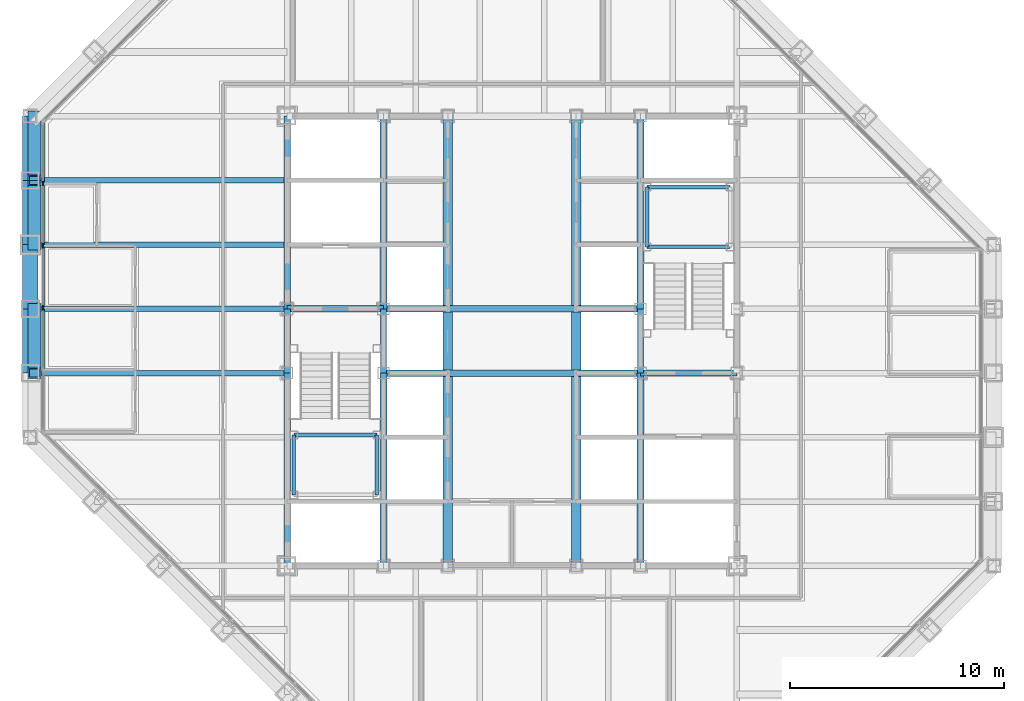
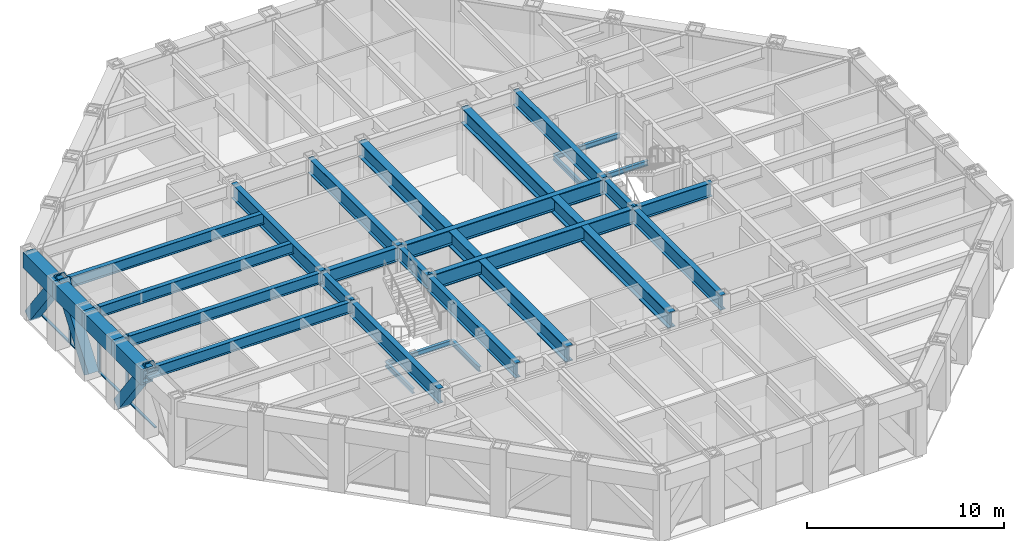
# One storey, part 6 of 16: 33 beams, 10 members, 1 element without a shape of its own.
"""IFC4 building model written with IfcOpenShell, lengths in metres."""

from ifc_helpers import new_model, si_unit, direction, frame, origin, origin_2d, place, context, subcontext, project, spatial, rectangle, hollow_rectangle, i_section, extrude, material, layer, layer_set, material_profile, profile_set, type_object, element, aggregate, save


model = new_model("IFC4")

# Units and contexts
model_context = context("Model", 3, precision=1e-05, world=origin(), true_north=direction((0.0, 1.0)))
body_context = subcontext(model_context, "Body", "Model", "MODEL_VIEW")
ifc_project = project(units=[si_unit("LENGTHUNIT", "METRE"), si_unit("AREAUNIT", "SQUARE_METRE"), si_unit("VOLUMEUNIT", "CUBIC_METRE"), si_unit("PLANEANGLEUNIT", "RADIAN"), si_unit("MASSUNIT", "GRAM", prefix="KILO")], contexts=[model_context])

# Site, building, storey
site_placement = place(None, origin())
site = spatial("IfcSite", under=ifc_project, at=site_placement, CompositionType="ELEMENT")
building_placement = place(site_placement, origin())
building = spatial("IfcBuilding", under=site, at=building_placement, Name="Chuquiago Exchange Tower", CompositionType="ELEMENT")
storey_placement = place(building_placement, frame((0.0, 0.0, 243.300048828125)))
storey = spatial("IfcBuildingStorey", under=building, at=storey_placement, Name="L54", CompositionType="ELEMENT", Elevation=243.300048828125)

# Beams
ifc_material_1 = material(Name="Steel ASTM A992", Category="steel")
ifc_material_profile_1 = material_profile(ifc_material_1, i_section(OverallWidth=0.25390625, OverallDepth=0.683349609375, WebThickness=0.012451171875, FlangeThickness=0.018798828125, at=origin_2d()), Name="W27X94")
ifc_profile_set_1 = profile_set([ifc_material_profile_1], Name="Steel ASTM A992")
beam_type_1 = type_object("IfcBeamType", Name="B1 W27X94", PredefinedType="BEAM", material=ifc_profile_set_1)
for number, where, z_axis, x_axis, name in (
    (1, (12.0, 21.0, 3.6982421875), (-1.0, 0.0, 0.0), (0.0, -1.0, 0.0), "FB-L55-infill-12_21--0_21-0"),
    (2, (12.0, 24.0, 3.6982421875), (-1.0, 0.0, 0.0), (0.0, -1.0, 0.0), "FB-L55-infill-12_24--0_24-0"),
    (3, (12.0, 27.0, 3.6982421875), (-1.0, 0.0, 0.0), (0.0, -1.0, 0.0), "FB-L55-infill-12_27--0_27-0"),
    (4, (12.0, 30.0, 3.6982421875), (-1.0, 0.0, 0.0), (0.0, -1.0, 0.0), "FB-L55-infill-12_30--0_30-0"),
):
    element("IfcBeam", number, at=place(storey_placement, frame(where, z_axis=z_axis, x_axis=x_axis)), inside=storey, type_object=beam_type_1, Name=name, PredefinedType="BEAM", context=body_context, shape_type="SweptSolid", body=[
        extrude(i_section(OverallWidth=0.25390625, OverallDepth=0.683349609375, WebThickness=0.012451171875, FlangeThickness=0.018798828125, at=origin_2d()), origin(), (0.0, 0.0, 1.0), 12.0),
    ])
ifc_material_2 = material(Name="Steel ASTM A992", Category="steel")
ifc_material_profile_2 = material_profile(ifc_material_2, i_section(OverallWidth=0.307373046875, OverallDepth=0.927001953125, WebThickness=0.01953125, FlangeThickness=0.031982421875, at=origin_2d()), Name="W36X194")
ifc_profile_set_2 = profile_set([ifc_material_profile_2], Name="Steel ASTM A992")
beam_type_2 = type_object("IfcBeamType", Name="B10 W36X194", PredefinedType="BEAM", material=ifc_profile_set_2)
for number, where, z_axis, x_axis, name in (
    (5, (12.0, 12.0, 3.576416015625), (0.0, 1.0, 0.0), (-1.0, 0.0, 0.0), "CB-L55-12_12-12_21"),
    (6, (12.0, 24.0, 3.576416015625), (0.0, 1.0, 0.0), (-1.0, 0.0, 0.0), "CB-L55-12_24-12_33"),
    (7, (16.5, 12.0, 3.576416015625), (0.0, 1.0, 0.0), (-1.0, 0.0, 0.0), "CB-L55-16.5_12-16.5_21"),
    (8, (16.5, 24.0, 3.576416015625), (0.0, 1.0, 0.0), (-1.0, 0.0, 0.0), "CB-L55-16.5_24-16.5_33"),
    (9, (28.5, 12.0, 3.576416015625), (0.0, 1.0, 0.0), (-1.0, 0.0, 0.0), "CB-L55-28.5_12-28.5_21"),
    (10, (28.5, 24.0, 3.576416015625), (0.0, 1.0, 0.0), (-1.0, 0.0, 0.0), "CB-L55-28.5_24-28.5_33"),
):
    element("IfcBeam", number, at=place(storey_placement, frame(where, z_axis=z_axis, x_axis=x_axis)), inside=storey, type_object=beam_type_2, Name=name, PredefinedType="BEAM", context=body_context, shape_type="SweptSolid", body=[
        extrude(i_section(OverallWidth=0.307373046875, OverallDepth=0.927001953125, WebThickness=0.01953125, FlangeThickness=0.031982421875, at=origin_2d()), origin(), (0.0, 0.0, 1.0), 9.0),
    ])
ifc_material_3 = material(Name="Steel ASTM A992", Category="steel")
ifc_material_profile_3 = material_profile(ifc_material_3, i_section(OverallWidth=0.309814453125, OverallDepth=0.949951171875, WebThickness=0.0244140625, FlangeThickness=0.0439453125, at=origin_2d()), Name="W36X256")
ifc_profile_set_3 = profile_set([ifc_material_profile_3], Name="Steel ASTM A992")
beam_type_3 = type_object("IfcBeamType", Name="B11 W36X256", PredefinedType="BEAM", material=ifc_profile_set_3)
for number, where, z_axis, x_axis, name in (
    (11, (16.5, 21.0, 3.56494140625), (1.0, 0.0, 0.0), (0.0, 1.0, 0.0), "CB-L55-16.5_21-28.5_21"),
    (12, (16.5, 24.0, 3.56494140625), (1.0, 0.0, 0.0), (0.0, 1.0, 0.0), "CB-L55-16.5_24-28.5_24"),
):
    element("IfcBeam", number, at=place(storey_placement, frame(where, z_axis=z_axis, x_axis=x_axis)), inside=storey, type_object=beam_type_3, Name=name, PredefinedType="BEAM", context=body_context, shape_type="SweptSolid", body=[
        extrude(i_section(OverallWidth=0.309814453125, OverallDepth=0.949951171875, WebThickness=0.0244140625, FlangeThickness=0.0439453125, at=origin_2d()), origin(), (0.0, 0.0, 1.0), 12.0),
    ])
ifc_material_4 = material(Name="Steel ASTM A992", Category="steel")
ifc_material_profile_4 = material_profile(ifc_material_4, i_section(OverallWidth=0.4267578125, OverallDepth=0.975341796875, WebThickness=0.031005859375, FlangeThickness=0.055908203125, at=origin_2d()), Name="W36X395")
ifc_profile_set_4 = profile_set([ifc_material_profile_4], Name="Steel ASTM A992")
beam_type_4 = type_object("IfcBeamType", Name="B12 W36X395", PredefinedType="BEAM", material=ifc_profile_set_4)
beam_1_placement = place(storey_placement, frame((19.5, 12.0, 3.55224609375), z_axis=(0.0, 1.0, 0.0), x_axis=(-1.0, 0.0, 0.0)))
element("IfcBeam", 13, at=beam_1_placement, inside=storey, type_object=beam_type_4, Name="CB-L55-19.5_12-19.5_20.8451", PredefinedType="BEAM", context=body_context, shape_type="SweptSolid", body=[
    extrude(i_section(OverallWidth=0.4267578125, OverallDepth=0.975341796875, WebThickness=0.031005859375, FlangeThickness=0.055908203125, at=origin_2d()), origin(), (0.0, 0.0, 1.0), 8.84521484375),
])
beam_2_placement = place(storey_placement, frame((19.5, 21.15478515625, 3.55224609375), z_axis=(0.0, 1.0, 0.0), x_axis=(-1.0, 0.0, 0.0)))
element("IfcBeam", 14, at=beam_2_placement, inside=storey, type_object=beam_type_4, Name="CB-L55-19.5_21.1549-19.5_23.8451", PredefinedType="BEAM", context=body_context, shape_type="SweptSolid", body=[
    extrude(i_section(OverallWidth=0.4267578125, OverallDepth=0.975341796875, WebThickness=0.031005859375, FlangeThickness=0.055908203125, at=origin_2d()), origin(), (0.0, 0.0, 1.0), 2.6904296875),
])
for number, where, z_axis, x_axis, name in (
    (15, (19.5, 24.15478515625, 3.55224609375), (0.0, 1.0, 0.0), (-1.0, 0.0, 0.0), "CB-L55-19.5_24.1549-19.5_33"),
    (16, (25.5, 12.0, 3.55224609375), (0.0, 1.0, 0.0), (-1.0, 0.0, 0.0), "CB-L55-25.5_12-25.5_20.8451"),
):
    element("IfcBeam", number, at=place(storey_placement, frame(where, z_axis=z_axis, x_axis=x_axis)), inside=storey, type_object=beam_type_4, Name=name, PredefinedType="BEAM", context=body_context, shape_type="SweptSolid", body=[
        extrude(i_section(OverallWidth=0.4267578125, OverallDepth=0.975341796875, WebThickness=0.031005859375, FlangeThickness=0.055908203125, at=origin_2d()), origin(), (0.0, 0.0, 1.0), 8.84521484375),
    ])
beam_3_placement = place(storey_placement, frame((25.5, 21.15478515625, 3.55224609375), z_axis=(0.0, 1.0, 0.0), x_axis=(-1.0, 0.0, 0.0)))
element("IfcBeam", 17, at=beam_3_placement, inside=storey, type_object=beam_type_4, Name="CB-L55-25.5_21.1549-25.5_23.8451", PredefinedType="BEAM", context=body_context, shape_type="SweptSolid", body=[
    extrude(i_section(OverallWidth=0.4267578125, OverallDepth=0.975341796875, WebThickness=0.031005859375, FlangeThickness=0.055908203125, at=origin_2d()), origin(), (0.0, 0.0, 1.0), 2.6904296875),
])
beam_4_placement = place(storey_placement, frame((25.5, 24.15478515625, 3.55224609375), z_axis=(0.0, 1.0, 0.0), x_axis=(-1.0, 0.0, 0.0)))
element("IfcBeam", 18, at=beam_4_placement, inside=storey, type_object=beam_type_4, Name="CB-L55-25.5_24.1549-25.5_33", PredefinedType="BEAM", context=body_context, shape_type="SweptSolid", body=[
    extrude(i_section(OverallWidth=0.4267578125, OverallDepth=0.975341796875, WebThickness=0.031005859375, FlangeThickness=0.055908203125, at=origin_2d()), origin(), (0.0, 0.0, 1.0), 8.84521484375),
])
ifc_material_5 = material(Name="Steel ASTM A992", Category="steel")
ifc_material_profile_5 = material_profile(ifc_material_5, i_section(OverallWidth=0.2919921875, OverallDepth=0.8583984375, WebThickness=0.01708984375, FlangeThickness=0.031005859375, at=origin_2d()), Name="W33X169")
ifc_profile_set_5 = profile_set([ifc_material_profile_5], Name="Steel ASTM A992")
beam_type_5 = type_object("IfcBeamType", Name="B3 W33X169", PredefinedType="BEAM", material=ifc_profile_set_5)
for number, where, z_axis, x_axis, name in (
    (19, (12.0, 21.0, 3.610595703125), (0.0, 1.0, 0.0), (-1.0, 0.0, 0.0), "CB-L55-12_21-12_24"),
    (20, (16.5, 21.0, 3.610595703125), (0.0, 1.0, 0.0), (-1.0, 0.0, 0.0), "CB-L55-16.5_21-16.5_24"),
    (21, (28.5, 21.0, 3.610595703125), (0.0, 1.0, 0.0), (-1.0, 0.0, 0.0), "CB-L55-28.5_21-28.5_24"),
):
    element("IfcBeam", number, at=place(storey_placement, frame(where, z_axis=z_axis, x_axis=x_axis)), inside=storey, type_object=beam_type_5, Name=name, PredefinedType="BEAM", context=body_context, shape_type="SweptSolid", body=[
        extrude(i_section(OverallWidth=0.2919921875, OverallDepth=0.8583984375, WebThickness=0.01708984375, FlangeThickness=0.031005859375, at=origin_2d()), origin(), (0.0, 0.0, 1.0), 3.0),
    ])
for number, where, z_axis, x_axis, name in (
    (22, (28.5, 21.0, 3.610595703125), (1.0, 0.0, 0.0), (0.0, 1.0, 0.0), "CB-L55-28.5_21-33_21"),
    (23, (12.0, 24.0, 3.610595703125), (1.0, 0.0, 0.0), (0.0, 1.0, 0.0), "CB-L55-12_24-16.5_24"),
):
    element("IfcBeam", number, at=place(storey_placement, frame(where, z_axis=z_axis, x_axis=x_axis)), inside=storey, type_object=beam_type_5, Name=name, PredefinedType="BEAM", context=body_context, shape_type="SweptSolid", body=[
        extrude(i_section(OverallWidth=0.2919921875, OverallDepth=0.8583984375, WebThickness=0.01708984375, FlangeThickness=0.031005859375, at=origin_2d()), origin(), (0.0, 0.0, 1.0), 4.5),
    ])

# Curtain wall, members
ifc_material_6 = material(Name="Aluminium curtain wall system", Category="aluminium")
ifc_layer = layer(ifc_material_6, 0.22509765625)
ifc_layer_set = layer_set([ifc_layer], Name="CW2 office curtain wall")
curtain_wall_type = type_object("IfcCurtainWallType", Name="CW2 office curtain wall", PredefinedType="NOTDEFINED", material=ifc_layer_set)
curtain_wall_placement = place(storey_placement, origin())
curtain_wall = element("IfcCurtainWall", 24, at=curtain_wall_placement, inside=storey, type_object=curtain_wall_type, Name="CW2 curtain wall L54", PredefinedType="NOTDEFINED")
ifc_material_7 = material(Name="Aluminium mullion, pale anodised", Category="aluminium")
ifc_material_profile_6 = material_profile(ifc_material_7, rectangle(XDim=0.06494140625, YDim=0.22509765625, at=origin_2d()), Name="AL 65x225")
ifc_profile_set_6 = profile_set([ifc_material_profile_6], Name="Aluminium mullion, pale anodised")
member_type_1 = type_object("IfcMemberType", Name="CW2-M mullion 65x225", PredefinedType="MULLION", material=ifc_profile_set_6)
member_1_placement = place(storey_placement, frame((0.60009765625, 29.850830078125, 0.0), z_axis=(0.0, 0.0, 1.0), x_axis=(1.0, 0.0, 0.0)))
member_1 = element("IfcMember", 25, at=member_1_placement, type_object=member_type_1, Name="CW2 mullion 2", PredefinedType="MULLION", context=body_context, shape_type="SweptSolid", body=[
    extrude(rectangle(XDim=0.06494140625, YDim=0.22509765625, at=origin_2d()), origin(), (0.0, 0.0, 1.0), 4.0400390625),
])
member_2_placement = place(storey_placement, frame((0.60009765625, 26.9501953125, 0.0), z_axis=(0.0, 0.0, 1.0), x_axis=(1.0, 0.0, 0.0)))
member_2 = element("IfcMember", 26, at=member_2_placement, type_object=member_type_1, Name="CW2 mullion 3", PredefinedType="MULLION", context=body_context, shape_type="SweptSolid", body=[
    extrude(rectangle(XDim=0.06494140625, YDim=0.22509765625, at=origin_2d()), origin(), (0.0, 0.0, 1.0), 4.0400390625),
])
member_3_placement = place(storey_placement, frame((0.60009765625, 24.0498046875, 0.0), z_axis=(0.0, 0.0, 1.0), x_axis=(1.0, 0.0, 0.0)))
member_3 = element("IfcMember", 27, at=member_3_placement, type_object=member_type_1, Name="CW2 mullion 4", PredefinedType="MULLION", context=body_context, shape_type="SweptSolid", body=[
    extrude(rectangle(XDim=0.06494140625, YDim=0.22509765625, at=origin_2d()), origin(), (0.0, 0.0, 1.0), 4.0400390625),
])
ifc_material_8 = material(Name="Aluminium transom, pale anodised", Category="aluminium")
ifc_material_profile_7 = material_profile(ifc_material_8, rectangle(XDim=0.139892578125, YDim=0.06494140625, at=origin_2d()), Name="AL 140x65")
ifc_profile_set_7 = profile_set([ifc_material_profile_7], Name="Aluminium transom, pale anodised")
member_type_2 = type_object("IfcMemberType", Name="CW2-T transom 65x140", PredefinedType="MULLION", material=ifc_profile_set_7)
member_4_placement = place(storey_placement, frame((0.60009765625, 32.6865234375, 0.032470703125), z_axis=(0.0, -1.0, 0.0), x_axis=(1.0, 0.0, 0.0)))
member_4 = element("IfcMember", 28, at=member_4_placement, type_object=member_type_2, Name="CW2 transom 1.1", PredefinedType="MULLION", context=body_context, shape_type="SweptSolid", body=[
    extrude(rectangle(XDim=0.139892578125, YDim=0.06494140625, at=origin_2d()), origin(), (0.0, 0.0, 1.0), 2.80322265625),
])
member_5_placement = place(storey_placement, frame((0.60009765625, 29.818359375, 0.032470703125), z_axis=(0.0, -1.0, 0.0), x_axis=(1.0, 0.0, 0.0)))
member_5 = element("IfcMember", 29, at=member_5_placement, type_object=member_type_2, Name="CW2 transom 2.1", PredefinedType="MULLION", context=body_context, shape_type="SweptSolid", body=[
    extrude(rectangle(XDim=0.139892578125, YDim=0.06494140625, at=origin_2d()), origin(), (0.0, 0.0, 1.0), 2.83544921875),
])
member_6_placement = place(storey_placement, frame((0.60009765625, 26.917724609375, 0.032470703125), z_axis=(0.0, -1.0, 0.0), x_axis=(1.0, 0.0, 0.0)))
member_6 = element("IfcMember", 30, at=member_6_placement, type_object=member_type_2, Name="CW2 transom 3.1", PredefinedType="MULLION", context=body_context, shape_type="SweptSolid", body=[
    extrude(rectangle(XDim=0.139892578125, YDim=0.06494140625, at=origin_2d()), origin(), (0.0, 0.0, 1.0), 2.83544921875),
])
member_7_placement = place(storey_placement, frame((0.60009765625, 24.01708984375, 0.032470703125), z_axis=(0.0, -1.0, 0.0), x_axis=(1.0, 0.0, 0.0)))
member_7 = element("IfcMember", 31, at=member_7_placement, type_object=member_type_2, Name="CW2 transom 4.1", PredefinedType="MULLION", context=body_context, shape_type="SweptSolid", body=[
    extrude(rectangle(XDim=0.139892578125, YDim=0.06494140625, at=origin_2d()), origin(), (0.0, 0.0, 1.0), 2.83544921875),
])
aggregate(curtain_wall, [member_1, member_2, member_3, member_4, member_5, member_6, member_7])

# Beams
ifc_material_9 = material(Name="Steel ASTM A992", Category="steel")
ifc_material_profile_8 = material_profile(ifc_material_9, i_section(OverallWidth=0.164794921875, OverallDepth=0.309814453125, WebThickness=0.005859375, FlangeThickness=0.009765625, at=origin_2d()), Name="W12X26")
ifc_profile_set_8 = profile_set([ifc_material_profile_8], Name="Steel ASTM A992")
beam_type_6 = type_object("IfcBeamType", Name="LS1 W12X26", PredefinedType="BEAM", material=ifc_profile_set_8)
for number, where, z_axis, x_axis, name in (
    (32, (12.31005859375, 15.31005859375, 1.7451171875), (0.0, 1.0, 0.0), (-1.0, 0.0, 0.0), "Stair ST1 L54 landing 1 stringer"),
    (33, (16.18994140625, 15.31005859375, 1.7451171875), (0.0, 1.0, 0.0), (-1.0, 0.0, 0.0), "Stair ST1 L54 landing 1 stringer"),
    (34, (28.81005859375, 26.889892578125, 1.7451171875), (0.0, 1.0, 0.0), (-1.0, 0.0, 0.0), "Stair ST2 L54 landing 1 stringer"),
):
    element("IfcBeam", number, at=place(storey_placement, frame(where, z_axis=z_axis, x_axis=x_axis)), inside=storey, type_object=beam_type_6, Name=name, PredefinedType="BEAM", context=body_context, shape_type="SweptSolid", body=[
        extrude(i_section(OverallWidth=0.164794921875, OverallDepth=0.309814453125, WebThickness=0.005859375, FlangeThickness=0.009765625, at=origin_2d()), origin(), (0.0, 0.0, 1.0), 2.800048828125),
    ])
ifc_material_10 = material(Name="Steel ASTM A992", Category="steel")
ifc_material_profile_9 = material_profile(ifc_material_10, i_section(OverallWidth=0.164794921875, OverallDepth=0.309814453125, WebThickness=0.005859375, FlangeThickness=0.009765625, at=origin_2d()), Name="W12X26")
ifc_profile_set_9 = profile_set([ifc_material_profile_9], Name="Steel ASTM A992")
beam_type_7 = type_object("IfcBeamType", Name="LT1 W12X26", PredefinedType="BEAM", material=ifc_profile_set_9)
for number, where, z_axis, x_axis, name in (
    (35, (12.31005859375, 18.110107421875, 1.7451171875), (1.0, 0.0, 0.0), (0.0, 1.0, 0.0), "Stair ST1 L54 landing 1 trimmer"),
    (36, (28.81005859375, 29.68994140625, 1.7451171875), (1.0, 0.0, 0.0), (0.0, 1.0, 0.0), "Stair ST2 L54 landing 1 trimmer"),
    (37, (28.81005859375, 26.889892578125, 1.7451171875), (1.0, 0.0, 0.0), (0.0, 1.0, 0.0), "Stair ST2 L54 landing 1 trimmer"),
):
    element("IfcBeam", number, at=place(storey_placement, frame(where, z_axis=z_axis, x_axis=x_axis)), inside=storey, type_object=beam_type_7, Name=name, PredefinedType="BEAM", context=body_context, shape_type="SweptSolid", body=[
        extrude(i_section(OverallWidth=0.164794921875, OverallDepth=0.309814453125, WebThickness=0.005859375, FlangeThickness=0.009765625, at=origin_2d()), origin(), (0.0, 0.0, 1.0), 3.8798828125),
    ])

# Members
ifc_material_11 = material(Name="Steel ASTM A572 Grade 50", Category="steel")
ifc_material_profile_10 = material_profile(ifc_material_11, hollow_rectangle(XDim=0.60009765625, YDim=0.60009765625, WallThickness=0.06005859375, at=origin_2d()), Name="BOX600X600X60")
ifc_profile_set_10 = profile_set([ifc_material_profile_10], Name="Steel ASTM A572 Grade 50")
member_type_3 = type_object("IfcMemberType", Name="MB3 BOX600X600X60", PredefinedType="BRACE", material=ifc_profile_set_10)
for number, where, z_axis, x_axis, name in (
    (38, (0.205078125, 33.0, 0.0), (0.0, -0.596173923302, 0.802855312728), (1.0, 0.0, 0.0), "Mega diagonal L54 W face"),
    (39, (0.205078125, 27.0, 0.0), (0.0, 0.596173923302, 0.802855312728), (-1.0, 0.0, 0.0), "Mega diagonal L54 W face"),
    (40, (0.205078125, 24.0, 0.0), (0.0, -0.596173923302, 0.802855312728), (1.0, 0.0, 0.0), "Mega diagonal L54 W face"),
):
    element("IfcMember", number, at=place(storey_placement, frame(where, z_axis=z_axis, x_axis=x_axis)), inside=storey, type_object=member_type_3, Name=name, PredefinedType="BRACE", context=body_context, shape_type="SweptSolid", body=[
        extrude(hollow_rectangle(XDim=0.60009765625, YDim=0.60009765625, WallThickness=0.06005859375, at=origin_2d()), origin(), (0.0, 0.0, 1.0), 5.031982421875),
    ])

# Beams
ifc_material_12 = material(Name="Steel ASTM A572 Grade 50", Category="steel")
ifc_material_profile_11 = material_profile(ifc_material_12, hollow_rectangle(XDim=0.699951171875, YDim=0.949951171875, WallThickness=0.10009765625, at=origin_2d()), Name="BOX950X700X100")
ifc_profile_set_11 = profile_set([ifc_material_profile_11], Name="Steel ASTM A572 Grade 50")
beam_type_8 = type_object("IfcBeamType", Name="SP5 BOX950X700X100", PredefinedType="SPANDREL", material=ifc_profile_set_11)
for number, where, z_axis, x_axis, name in (
    (41, (0.0, 33.0, 3.56494140625), (0.0, -1.0, 0.0), (1.0, 0.0, 0.0), "SPB-L55-0_33-0_30"),
    (42, (0.0, 30.0, 3.56494140625), (0.0, -1.0, 0.0), (1.0, 0.0, 0.0), "SPB-L55-0_30-0_27"),
    (43, (0.0, 27.0, 3.56494140625), (0.0, -1.0, 0.0), (1.0, 0.0, 0.0), "SPB-L55-0_27-0_24"),
    (44, (0.0, 24.0, 3.56494140625), (0.0, -1.0, 0.0), (1.0, 0.0, 0.0), "SPB-L55-0_24-0_21"),
):
    element("IfcBeam", number, at=place(storey_placement, frame(where, z_axis=z_axis, x_axis=x_axis)), inside=storey, type_object=beam_type_8, Name=name, PredefinedType="SPANDREL", context=body_context, shape_type="SweptSolid", body=[
        extrude(hollow_rectangle(XDim=0.699951171875, YDim=0.949951171875, WallThickness=0.10009765625, at=origin_2d()), origin(), (0.0, 0.0, 1.0), 3.0),
    ])

save(model, "model.ifc")
